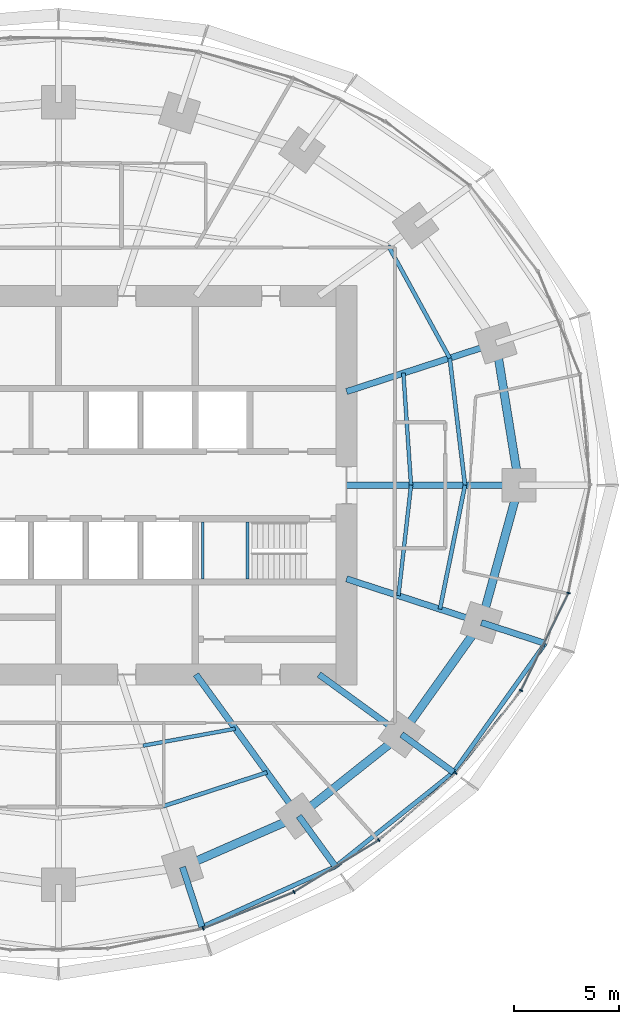
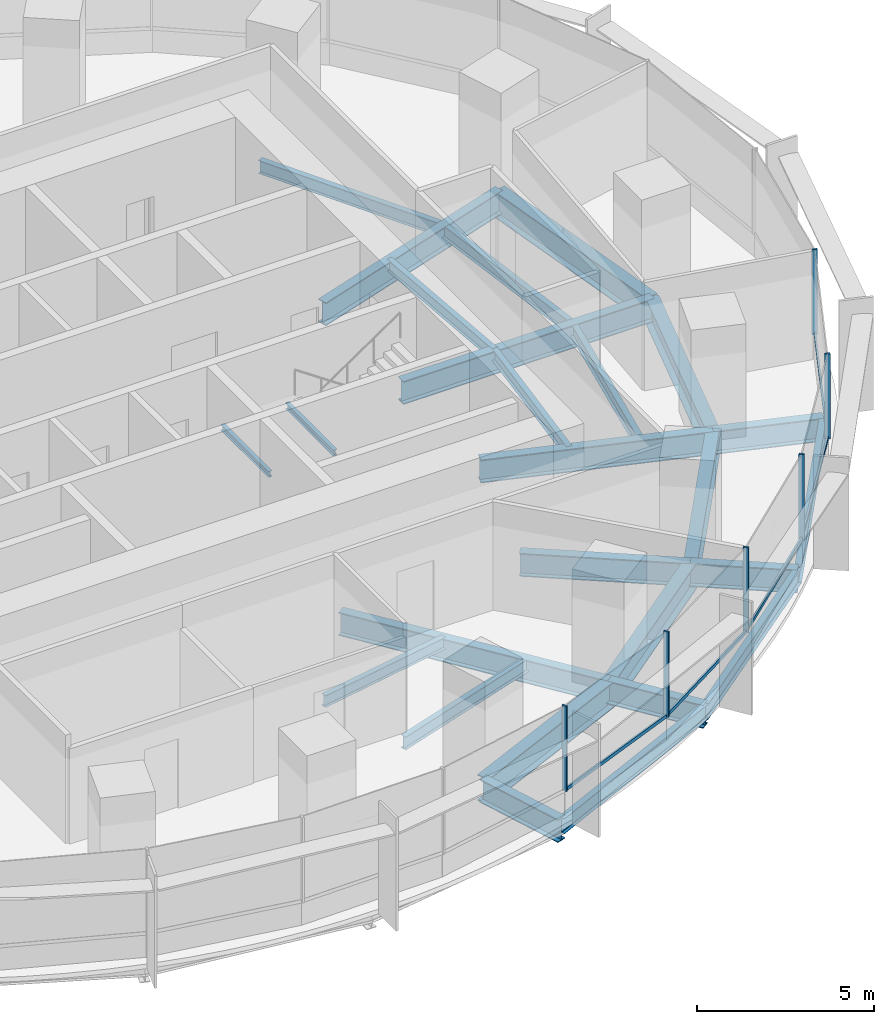
# One storey, part 5 of 14: 26 beams, 11 members, 2 elements without a shape of their own.
"""IFC4 building model written with IfcOpenShell, lengths in metres."""

import ifcopenshell
import ifcopenshell.guid

model = None  # the IFC model being written
_history = None  # IfcOwnerHistory: only IFC2X3 demands one
_inside = {}  # id of a spatial element -> (the spatial element, [elements in it])
_under = {}  # id of a project, library or spatial element -> (it, [spatial elements below it])
_declared = {}  # id of a project -> (the project, [libraries it declares])
_typed = {}  # id of a type object -> (the type object, [elements of that type])
_made_of = {}  # id of a material, layer set ... -> (it, [elements and type objects made of it])


def new_model(schema):
    """Start an empty IFC model of exactly this schema.

    Asked for "IFC4X3", IfcOpenShell would pick the latest addendum, in which some entities
    have other attributes; the version numbers below select the first issue.
    IFC2X3 requires an IfcOwnerHistory on every rooted entity: one is made here for all.
    """
    global model, _history
    if schema == "IFC4X3":
        model = ifcopenshell.file(schema_version=(4, 3, 0, 0))
    else:
        model = ifcopenshell.file(schema=schema)
    _inside.clear()
    _under.clear()
    _declared.clear()
    _typed.clear()
    _made_of.clear()
    _history = None
    if model.schema == "IFC2X3":
        org = make("IfcOrganization", Name="unknown")
        user = make(
            "IfcPersonAndOrganization",
            ThePerson=make("IfcPerson", FamilyName="unknown"),
            TheOrganization=org,
        )
        app = make(
            "IfcApplication",
            ApplicationDeveloper=org,
            Version="unknown",
            ApplicationFullName="unknown",
            ApplicationIdentifier="unknown",
        )
        _history = make(
            "IfcOwnerHistory",
            OwningUser=user,
            OwningApplication=app,
            ChangeAction="ADDED",
            CreationDate=0,
        )
    return model


def make(cls, **values):
    """One entity of the class cls with the attributes given. An attribute that is None is left unset."""
    return model.create_entity(
        cls, **{name: value for name, value in values.items() if value is not None}
    )


def rooted(cls, **values):
    """An entity with a GlobalId (a new one), such as an element, a storey or a relation."""
    return make(cls, GlobalId=ifcopenshell.guid.new(), OwnerHistory=_history, **values)


def si_unit(unit_type, name, prefix=None):
    """IfcSIUnit, for example si_unit("LENGTHUNIT", "METRE", prefix="MILLI")."""
    return make("IfcSIUnit", UnitType=unit_type, Prefix=prefix, Name=name)


def assignment(units):
    """IfcUnitAssignment: the units of a project."""
    return None if units is None else make("IfcUnitAssignment", Units=units)


def point(xyz):
    """IfcCartesianPoint."""
    return None if xyz is None else make("IfcCartesianPoint", Coordinates=xyz)


def direction(xyz):
    """IfcDirection."""
    return None if xyz is None else make("IfcDirection", DirectionRatios=xyz)


def frame(location, z_axis=None, x_axis=None):
    """IfcAxis2Placement3D, a coordinate frame: its origin and axes. An axis left out is left unset."""
    return make(
        "IfcAxis2Placement3D",
        Location=point(location),
        Axis=direction(z_axis),
        RefDirection=direction(x_axis),
    )


def frame_2d(location, x_axis=None):
    """IfcAxis2Placement2D, a coordinate frame in the plane: its origin and x axis."""
    return make(
        "IfcAxis2Placement2D", Location=point(location), RefDirection=direction(x_axis)
    )


def origin():
    """The frame at (0, 0, 0) with its axes left unset."""
    return frame((0.0, 0.0, 0.0))


def origin_2d():
    """The frame at (0, 0) in the plane with its x axis left unset."""
    return frame_2d((0.0, 0.0))


def place(relative_to, where):
    """IfcLocalPlacement: puts the frame where relative to a parent placement (None: the world)."""
    return make(
        "IfcLocalPlacement", PlacementRelTo=relative_to, RelativePlacement=where
    )


def context(
    kind, dimensions, precision=None, world=None, true_north=None, identifier=None
):
    """IfcGeometricRepresentationContext, for example the 3D "Model" context."""
    return make(
        "IfcGeometricRepresentationContext",
        ContextIdentifier=identifier,
        ContextType=kind,
        CoordinateSpaceDimension=dimensions,
        Precision=precision,
        WorldCoordinateSystem=world,
        TrueNorth=true_north,
    )


def subcontext(parent, identifier, kind, view, scale=None):
    """IfcGeometricRepresentationSubContext, for example "Body" below "Model"."""
    return make(
        "IfcGeometricRepresentationSubContext",
        ContextIdentifier=identifier,
        ContextType=kind,
        ParentContext=parent,
        TargetScale=scale,
        TargetView=view,
    )


def project(units=None, contexts=None):
    """IfcProject with its units and contexts."""
    return rooted(
        "IfcProject",
        Name="project",
        RepresentationContexts=contexts,
        UnitsInContext=assignment(units),
    )


def spatial(cls, under=None, at=None, **own):
    """A site, building, storey or space (cls), placed at a placement, below another one or the project."""
    s = rooted(cls, ObjectPlacement=at, **own)
    if under is not None:
        _under.setdefault(under.id(), (under, []))[1].append(s)
    return s


def profile(cls, at=None, kind="AREA", **sizes):
    """A parametric profile (cls). Its sizes go by their IFC names, for example OverallWidth=200.0."""
    return make(cls, ProfileType=kind, Position=at, **sizes)


def rectangle(**sizes):
    """IfcRectangleProfileDef."""
    return profile("IfcRectangleProfileDef", **sizes)


def i_section(**sizes):
    """IfcIShapeProfileDef."""
    return profile("IfcIShapeProfileDef", **sizes)


def extrude(swept, where, along, depth):
    """IfcExtrudedAreaSolid: the profile swept, set in the frame where, extruded along a direction by depth."""
    return make(
        "IfcExtrudedAreaSolid",
        SweptArea=swept,
        Position=where,
        ExtrudedDirection=direction(along),
        Depth=depth,
    )


def shape(context_of_items, identifier, shape_type, items):
    """IfcShapeRepresentation: the items that make up one representation, for example the "Body"."""
    return make(
        "IfcShapeRepresentation",
        ContextOfItems=context_of_items,
        RepresentationIdentifier=identifier,
        RepresentationType=shape_type,
        Items=items,
    )


def material(Name=None, Category=None):
    """IfcMaterial."""
    return make("IfcMaterial", Name=Name, Category=Category)


def material_profile(
    of_material, cross_section, Name=None, Category=None, Priority=None
):
    """IfcMaterialProfile: a cross section and its material."""
    return make(
        "IfcMaterialProfile",
        Name=Name,
        Material=of_material,
        Profile=cross_section,
        Priority=Priority,
        Category=Category,
    )


def profile_set(profiles, Name=None, composite=None):
    """IfcMaterialProfileSet."""
    return make(
        "IfcMaterialProfileSet",
        Name=Name,
        MaterialProfiles=profiles,
        CompositeProfile=composite,
    )


def made_of(thing, what):
    """Note that an element or type object is made of a material, layer set ...; save() writes the relation."""
    if what is not None:
        _made_of.setdefault(what.id(), (what, []))[1].append(thing)
    return thing


def type_object(cls, material=None, **own):
    """A type object (cls), such as IfcWallType, which elements share."""
    return made_of(rooted(cls, **own), material)


def element(
    cls,
    number,
    at=None,
    inside=None,
    cuts=None,
    type_object=None,
    material=None,
    context=None,
    identifier="Body",
    shape_type=None,
    held_by="IfcProductDefinitionShape",
    body=None,
    shapes=None,
    **own,
):
    """One element of the class cls, such as IfcWall. Its Tag is "e" and its number.

    at: its placement. inside: the storey or other place that contains it. cuts: it is an
    opening in that element (IfcRelVoidsElement). A single representation is given by context,
    identifier, shape_type and body (its items); several are given by shapes. held_by: the class
    of the entity that holds the representations. save() writes the other relations.
    """
    e = rooted(cls, Tag="e%d" % number, ObjectPlacement=at, **own)
    if body is not None:
        shapes = [shape(context, identifier, shape_type, body)]
    if shapes is not None:
        e.Representation = make(held_by, Representations=shapes)
    if inside is not None:
        _inside.setdefault(inside.id(), (inside, []))[1].append(e)
    if cuts is not None:
        rooted(
            "IfcRelVoidsElement", RelatingBuildingElement=cuts, RelatedOpeningElement=e
        )
    if type_object is not None:
        _typed.setdefault(type_object.id(), (type_object, []))[1].append(e)
    return made_of(e, material)


def aggregate(whole, parts):
    """IfcRelAggregates: a whole, such as a stair, and the parts it consists of."""
    return rooted("IfcRelAggregates", RelatingObject=whole, RelatedObjects=parts)


def save(model, path):
    """Write the relations noted so far, then the file.

    IfcRelAggregates (storeys below a building ...), IfcRelContainedInSpatialStructure (elements
    in a storey), IfcRelDefinesByType, IfcRelAssociatesMaterial and IfcRelDeclares: one each for
    every whole, place, type object, material and project.
    """
    for whole, parts in _under.values():
        aggregate(whole, parts)
    for where, things in _inside.values():
        rooted(
            "IfcRelContainedInSpatialStructure",
            RelatedElements=things,
            RelatingStructure=where,
        )
    for kind, things in _typed.values():
        rooted("IfcRelDefinesByType", RelatedObjects=things, RelatingType=kind)
    for what, things in _made_of.values():
        rooted("IfcRelAssociatesMaterial", RelatedObjects=things, RelatingMaterial=what)
    for by, libraries in _declared.values():
        rooted("IfcRelDeclares", RelatingContext=by, RelatedDefinitions=libraries)
    model.write(path)


model = new_model("IFC4")

# Units and contexts
model_context = context("Model", 3, precision=1e-05, world=origin(), true_north=direction((0.0, 1.0)))
body_context = subcontext(model_context, "Body", "Model", "MODEL_VIEW")
ifc_project = project(units=[si_unit("LENGTHUNIT", "METRE"), si_unit("AREAUNIT", "SQUARE_METRE"), si_unit("VOLUMEUNIT", "CUBIC_METRE"), si_unit("PLANEANGLEUNIT", "RADIAN"), si_unit("MASSUNIT", "GRAM", prefix="KILO")], contexts=[model_context])

# Site, building, storey
site_placement = place(None, origin())
site = spatial("IfcSite", under=ifc_project, at=site_placement, CompositionType="ELEMENT")
building_placement = place(site_placement, origin())
building = spatial("IfcBuilding", under=site, at=building_placement, Name="Marramba Exchange Tower", CompositionType="ELEMENT")
storey_placement = place(building_placement, frame((0.0, 0.0, 123.60009765625)))
storey = spatial("IfcBuildingStorey", under=building, at=storey_placement, Name="L29", CompositionType="ELEMENT", Elevation=123.60009765625)

# Beams
ifc_material_1 = material(Name="Steel AS/NZS 3679.2 grade 300", Category="steel")
ifc_material_profile_1 = material_profile(ifc_material_1, i_section(OverallWidth=0.300048828125, OverallDepth=0.800048828125, WebThickness=0.013916015625, FlangeThickness=0.031982421875, at=origin_2d()), Name="800WB192")
ifc_profile_set_1 = profile_set([ifc_material_profile_1], Name="Steel AS/NZS 3679.2 grade 300")
beam_type_1 = type_object("IfcBeamType", Name="Cantilever girder 800WB192", PredefinedType="BEAM", material=ifc_profile_set_1)
beam_1_placement = place(storey_placement, frame((5.899658203125, -18.156982421875, -0.56005859375), z_axis=(0.30903246226, -0.951051490336, 0.0), x_axis=(0.951051490336, 0.30903246226, 0.0)))
element("IfcBeam", 1, at=beam_1_placement, inside=storey, type_object=beam_type_1, Name="Cantilever girder L29 TC17", PredefinedType="BEAM", context=body_context, shape_type="SweptSolid", body=[
    extrude(i_section(OverallWidth=0.300048828125, OverallDepth=0.800048828125, WebThickness=0.013916015625, FlangeThickness=0.031982421875, at=origin_2d()), origin(), (0.0, 0.0, 1.0), 2.986328125),
])
beam_2_placement = place(storey_placement, frame((11.430419921875, -15.732666015625, -0.56005859375), z_axis=(0.587794986183, -0.8090099222, 0.0), x_axis=(0.8090099222, 0.587794986183, 0.0)))
element("IfcBeam", 2, at=beam_2_placement, inside=storey, type_object=beam_type_1, Name="Cantilever girder L29 TC18", PredefinedType="BEAM", context=body_context, shape_type="SweptSolid", body=[
    extrude(i_section(OverallWidth=0.300048828125, OverallDepth=0.800048828125, WebThickness=0.013916015625, FlangeThickness=0.031982421875, at=origin_2d()), origin(), (0.0, 0.0, 1.0), 2.9677734375),
])
beam_3_placement = place(storey_placement, frame((16.3154296875, -11.853759765625, -0.56005859375), z_axis=(0.809026231081, -0.587772538847, 0.0), x_axis=(0.587772538847, 0.809026231081, 0.0)))
element("IfcBeam", 3, at=beam_3_placement, inside=storey, type_object=beam_type_1, Name="Cantilever girder L29 TC19", PredefinedType="BEAM", context=body_context, shape_type="SweptSolid", body=[
    extrude(i_section(OverallWidth=0.300048828125, OverallDepth=0.800048828125, WebThickness=0.013916015625, FlangeThickness=0.031982421875, at=origin_2d()), origin(), (0.0, 0.0, 1.0), 3.055419921875),
])
beam_4_placement = place(storey_placement, frame((20.109375, -6.533935546875, -0.56005859375), z_axis=(0.951054839063, -0.309022156318, 0.0), x_axis=(0.309022156318, 0.951054839063, 0.0)))
element("IfcBeam", 4, at=beam_4_placement, inside=storey, type_object=beam_type_1, Name="Cantilever girder L29 TC20", PredefinedType="BEAM", context=body_context, shape_type="SweptSolid", body=[
    extrude(i_section(OverallWidth=0.300048828125, OverallDepth=0.800048828125, WebThickness=0.013916015625, FlangeThickness=0.031982421875, at=origin_2d()), origin(), (0.0, 0.0, 1.0), 3.19580078125),
])
ifc_material_2 = material(Name="Steel AS/NZS 3679.1 grade 300", Category="steel")
ifc_material_profile_2 = material_profile(ifc_material_2, i_section(OverallWidth=0.177978515625, OverallDepth=0.406005859375, WebThickness=0.0078125, FlangeThickness=0.0126953125, FilletRadius=0.011474609375, at=origin_2d()), Name="410UB59.7")
ifc_profile_set_2 = profile_set([ifc_material_profile_2], Name="Steel AS/NZS 3679.1 grade 300")
beam_type_2 = type_object("IfcBeamType", Name="Floor joist 410UB59.7", PredefinedType="JOIST", material=ifc_profile_set_2)
beam_5_placement = place(storey_placement, frame((16.7666015625, 0.0, -0.363037109375), z_axis=(-0.068096259546, 0.99767875563, 0.0), x_axis=(-0.99767875563, -0.068096259546, 0.0)))
element("IfcBeam", 5, at=beam_5_placement, inside=storey, type_object=beam_type_2, Name="Joist L29 bay 01 row 1", PredefinedType="JOIST", context=body_context, shape_type="SweptSolid", body=[
    extrude(i_section(OverallWidth=0.177978515625, OverallDepth=0.406005859375, WebThickness=0.0078125, FlangeThickness=0.0126953125, FilletRadius=0.011474609375, at=origin_2d()), origin(), (0.0, 0.0, 1.0), 5.342041015625),
])
beam_6_placement = place(storey_placement, frame((4.0244140625, -12.3857421875, -0.363037109375), z_axis=(0.983455754421, 0.181148500119, 0.0), x_axis=(-0.181148500119, 0.983455754421, 0.0)))
element("IfcBeam", 6, at=beam_6_placement, inside=storey, type_object=beam_type_2, Name="Joist L29 bay 17 row 1", PredefinedType="JOIST", context=body_context, shape_type="SweptSolid", body=[
    extrude(i_section(OverallWidth=0.177978515625, OverallDepth=0.406005859375, WebThickness=0.0078125, FlangeThickness=0.0126953125, FilletRadius=0.011474609375, at=origin_2d()), origin(), (0.0, 0.0, 1.0), 4.4609375),
])
beam_7_placement = place(storey_placement, frame((16.169677734375, -5.25390625, -0.363037109375), z_axis=(0.112888968594, 0.993607609054, 0.0), x_axis=(-0.993607609054, 0.112888968594, 0.0)))
element("IfcBeam", 7, at=beam_7_placement, inside=storey, type_object=beam_type_2, Name="Joist L29 bay 20 row 1", PredefinedType="JOIST", context=body_context, shape_type="SweptSolid", body=[
    extrude(i_section(OverallWidth=0.177978515625, OverallDepth=0.406005859375, WebThickness=0.0078125, FlangeThickness=0.0126953125, FilletRadius=0.011474609375, at=origin_2d()), origin(), (0.0, 0.0, 1.0), 5.28759765625),
])
ifc_material_profile_3 = material_profile(ifc_material_2, i_section(OverallWidth=0.18994140625, OverallDepth=0.4541015625, WebThickness=0.008544921875, FlangeThickness=0.0126953125, FilletRadius=0.011474609375, at=origin_2d()), Name="460UB67.1")
ifc_profile_set_3 = profile_set([ifc_material_profile_3], Name="Steel AS/NZS 3679.1 grade 300")
beam_type_3 = type_object("IfcBeamType", Name="Floor joist 460UB67.1", PredefinedType="JOIST", material=ifc_profile_set_3)
beam_8_placement = place(storey_placement, frame((19.333251953125, 0.0, -0.38720703125), z_axis=(-0.119523078538, 0.992831422597, 0.0), x_axis=(-0.992831422597, -0.119523078538, 0.0)))
element("IfcBeam", 8, at=beam_8_placement, inside=storey, type_object=beam_type_3, Name="Joist L29 bay 01 row 2", PredefinedType="JOIST", context=body_context, shape_type="SweptSolid", body=[
    extrude(i_section(OverallWidth=0.18994140625, OverallDepth=0.4541015625, WebThickness=0.008544921875, FlangeThickness=0.0126953125, FilletRadius=0.011474609375, at=origin_2d()), origin(), (0.0, 0.0, 1.0), 6.089111328125),
])
beam_9_placement = place(storey_placement, frame((18.60546875, 6.04541015625, -0.38720703125), z_axis=(-0.479584443791, 0.877495732909, 0.0), x_axis=(-0.877495732909, -0.479584443791, 0.0)))
element("IfcBeam", 9, at=beam_9_placement, inside=storey, type_object=beam_type_3, Name="Joist L29 bay 02 row 2", PredefinedType="JOIST", context=body_context, shape_type="SweptSolid", body=[
    extrude(i_section(OverallWidth=0.18994140625, OverallDepth=0.4541015625, WebThickness=0.008544921875, FlangeThickness=0.0126953125, FilletRadius=0.011474609375, at=origin_2d()), origin(), (0.0, 0.0, 1.0), 6.094970703125),
])
beam_10_placement = place(storey_placement, frame((4.9619140625, -15.271484375, -0.38720703125), z_axis=(0.950764024931, 0.309915744834, 0.0), x_axis=(-0.309915744834, 0.950764024931, 0.0)))
element("IfcBeam", 10, at=beam_10_placement, inside=storey, type_object=beam_type_3, Name="Joist L29 bay 17 row 2", PredefinedType="JOIST", context=body_context, shape_type="SweptSolid", body=[
    extrude(i_section(OverallWidth=0.18994140625, OverallDepth=0.4541015625, WebThickness=0.008544921875, FlangeThickness=0.0126953125, FilletRadius=0.011474609375, at=origin_2d()), origin(), (0.0, 0.0, 1.0), 5.2158203125),
])
beam_11_placement = place(storey_placement, frame((18.1396484375, -5.893798828125, -0.38720703125), z_axis=(0.198489047047, 0.980103105904, 0.0), x_axis=(-0.980103105904, 0.198489047047, 0.0)))
element("IfcBeam", 11, at=beam_11_placement, inside=storey, type_object=beam_type_3, Name="Joist L29 bay 20 row 2", PredefinedType="JOIST", context=body_context, shape_type="SweptSolid", body=[
    extrude(i_section(OverallWidth=0.18994140625, OverallDepth=0.4541015625, WebThickness=0.008544921875, FlangeThickness=0.0126953125, FilletRadius=0.011474609375, at=origin_2d()), origin(), (0.0, 0.0, 1.0), 6.013427734375),
])

# Curtain wall, member
ifc_material_3 = material(Name="Aluminium framing, bronze anodised", Category="aluminium")
curtain_wall_type = type_object("IfcCurtainWallType", Name="Office ribbon curtain wall", PredefinedType="USERDEFINED", material=ifc_material_3)
curtain_wall_1_placement = place(storey_placement, origin())
curtain_wall_1 = element("IfcCurtainWall", 12, at=curtain_wall_1_placement, inside=storey, type_object=curtain_wall_type, Name="Curtain wall CW4 L29 F21-F25", ObjectType="RIBBON CURTAIN WALL", PredefinedType="USERDEFINED")
ifc_material_4 = material(Name="Aluminium mullion, bronze anodised", Category="aluminium")
ifc_material_profile_4 = material_profile(ifc_material_4, rectangle(XDim=0.159912109375, YDim=0.06005859375, at=origin_2d()), Name="CW4 mullion 60x160")
ifc_profile_set_4 = profile_set([ifc_material_profile_4], Name="Aluminium mullion, bronze anodised")
member_type_1 = type_object("IfcMemberType", Name="Office ribbon curtain wall mullion", PredefinedType="MULLION", material=ifc_profile_set_4)
member_1_placement = place(storey_placement, frame((6.881103515625, -21.0810546875, 0.7998046875), z_axis=(0.0, 0.0, 1.0), x_axis=(-0.372209067082, 0.928148916059, 0.0)))
member_1 = element("IfcMember", 13, at=member_1_placement, type_object=member_type_1, Name="CW4 mullion 1", PredefinedType="MULLION", context=body_context, shape_type="SweptSolid", body=[
    extrude(rectangle(XDim=0.159912109375, YDim=0.06005859375, at=origin_2d()), origin(), (0.0, 0.0, 1.0), 2.940185546875),
])

# Curtain wall, members
curtain_wall_2_placement = place(storey_placement, origin())
curtain_wall_2 = element("IfcCurtainWall", 14, at=curtain_wall_2_placement, inside=storey, type_object=curtain_wall_type, Name="Curtain wall CW4 L29 F26-F30", ObjectType="RIBBON CURTAIN WALL", PredefinedType="USERDEFINED")
member_2_placement = place(storey_placement, frame((11.2021484375, -19.3427734375, 0.7998046875), z_axis=(0.0, 0.0, 1.0), x_axis=(-0.521732535664, 0.853109114492, 0.0)))
member_2 = element("IfcMember", 15, at=member_2_placement, type_object=member_type_1, Name="CW4 mullion 1", PredefinedType="MULLION", context=body_context, shape_type="SweptSolid", body=[
    extrude(rectangle(XDim=0.159912109375, YDim=0.06005859375, at=origin_2d()), origin(), (0.0, 0.0, 1.0), 2.940185546875),
])
member_3_placement = place(storey_placement, frame((15.232177734375, -16.872314453125, 0.7998046875), z_axis=(0.0, 0.0, 1.0), x_axis=(-0.656431647438, 0.754385506384, 0.0)))
member_3 = element("IfcMember", 16, at=member_3_placement, type_object=member_type_1, Name="CW4 mullion 1", PredefinedType="MULLION", context=body_context, shape_type="SweptSolid", body=[
    extrude(rectangle(XDim=0.159912109375, YDim=0.06005859375, at=origin_2d()), origin(), (0.0, 0.0, 1.0), 2.940185546875),
])
member_4_placement = place(storey_placement, frame((18.886962890625, -13.68505859375, 0.7998046875), z_axis=(0.0, 0.0, 1.0), x_axis=(-0.783170139469, 0.621807472329, 0.0)))
member_4 = element("IfcMember", 17, at=member_4_placement, type_object=member_type_1, Name="CW4 mullion 1", PredefinedType="MULLION", context=body_context, shape_type="SweptSolid", body=[
    extrude(rectangle(XDim=0.159912109375, YDim=0.06005859375, at=origin_2d()), origin(), (0.0, 0.0, 1.0), 2.940185546875),
])
member_5_placement = place(storey_placement, frame((21.994873046875, -9.760009765625, 0.7998046875), z_axis=(0.0, 0.0, 1.0), x_axis=(-0.89844486976, 0.439086342308, 0.0)))
member_5 = element("IfcMember", 18, at=member_5_placement, type_object=member_type_1, Name="CW4 mullion 1", PredefinedType="MULLION", context=body_context, shape_type="SweptSolid", body=[
    extrude(rectangle(XDim=0.159912109375, YDim=0.06005859375, at=origin_2d()), origin(), (0.0, 0.0, 1.0), 2.940185546875),
])
member_6_placement = place(storey_placement, frame((24.252197265625, -5.124267578125, 0.7998046875), z_axis=(0.0, 0.0, 1.0), x_axis=(-0.980393739376, 0.197048511267, 0.0)))
member_6 = element("IfcMember", 19, at=member_6_placement, type_object=member_type_1, Name="CW4 mullion 1", PredefinedType="MULLION", context=body_context, shape_type="SweptSolid", body=[
    extrude(rectangle(XDim=0.159912109375, YDim=0.06005859375, at=origin_2d()), origin(), (0.0, 0.0, 1.0), 2.940185546875),
])

# Member
ifc_material_5 = material(Name="Aluminium transom, bronze anodised", Category="aluminium")
ifc_material_profile_5 = material_profile(ifc_material_5, rectangle(XDim=0.06005859375, YDim=0.1201171875, at=origin_2d()), Name="CW4 transom 60x120")
ifc_profile_set_5 = profile_set([ifc_material_profile_5], Name="Aluminium transom, bronze anodised")
member_type_2 = type_object("IfcMemberType", Name="Office ribbon curtain wall transom", PredefinedType="USERDEFINED", material=ifc_profile_set_5)
member_7_placement = place(storey_placement, frame((6.908935546875, -21.06982421875, 0.829833984375), z_axis=(0.928146753748, 0.372214459026, 0.0), x_axis=(-0.372214459026, 0.928146753748, 0.0)))
member_7 = element("IfcMember", 20, at=member_7_placement, type_object=member_type_2, Name="CW4 sill transom", ObjectType="TRANSOM", PredefinedType="USERDEFINED", context=body_context, shape_type="SweptSolid", body=[
    extrude(rectangle(XDim=0.06005859375, YDim=0.1201171875, at=origin_2d()), origin(), (0.0, 0.0, 1.0), 4.597900390625),
])

aggregate(curtain_wall_1, [member_1, member_7])

member_8_placement = place(storey_placement, frame((11.227783203125, -19.3271484375, 0.829833984375), z_axis=(0.853124051379, 0.52170811088, 0.0), x_axis=(-0.52170811088, 0.853124051379, 0.0)))
member_8 = element("IfcMember", 21, at=member_8_placement, type_object=member_type_2, Name="CW4 sill transom", ObjectType="TRANSOM", PredefinedType="USERDEFINED", context=body_context, shape_type="SweptSolid", body=[
    extrude(rectangle(XDim=0.06005859375, YDim=0.1201171875, at=origin_2d()), origin(), (0.0, 0.0, 1.0), 4.66748046875),
])

member_9_placement = place(storey_placement, frame((15.2548828125, -16.8525390625, 0.829833984375), z_axis=(0.754392594189, 0.65642350189, 0.0), x_axis=(-0.65642350189, 0.754392594189, 0.0)))
member_9 = element("IfcMember", 22, at=member_9_placement, type_object=member_type_2, Name="CW4 sill transom", ObjectType="TRANSOM", PredefinedType="USERDEFINED", context=body_context, shape_type="SweptSolid", body=[
    extrude(rectangle(XDim=0.06005859375, YDim=0.1201171875, at=origin_2d()), origin(), (0.0, 0.0, 1.0), 4.78955078125),
])

member_10_placement = place(storey_placement, frame((18.905517578125, -13.66162109375, 0.829833984375), z_axis=(0.621777997945, 0.783193540111, 0.0), x_axis=(-0.783193540111, 0.621777997945, 0.0)))
member_10 = element("IfcMember", 23, at=member_10_placement, type_object=member_type_2, Name="CW4 sill transom", ObjectType="TRANSOM", PredefinedType="USERDEFINED", context=body_context, shape_type="SweptSolid", body=[
    extrude(rectangle(XDim=0.06005859375, YDim=0.1201171875, at=origin_2d()), origin(), (0.0, 0.0, 1.0), 4.947265625),
])

member_11_placement = place(storey_placement, frame((22.008056640625, -9.73291015625, 0.829833984375), z_axis=(0.439090714557, 0.898442732949, 0.0), x_axis=(-0.898442732949, 0.439090714557, 0.0)))
member_11 = element("IfcMember", 24, at=member_11_placement, type_object=member_type_2, Name="CW4 sill transom", ObjectType="TRANSOM", PredefinedType="USERDEFINED", context=body_context, shape_type="SweptSolid", body=[
    extrude(rectangle(XDim=0.06005859375, YDim=0.1201171875, at=origin_2d()), origin(), (0.0, 0.0, 1.0), 5.096923828125),
])

aggregate(curtain_wall_2, [member_2, member_8, member_3, member_9, member_4, member_10, member_5, member_11, member_6])

# Beams
ifc_material_profile_6 = material_profile(ifc_material_1, i_section(OverallWidth=0.300048828125, OverallDepth=0.800048828125, WebThickness=0.013916015625, FlangeThickness=0.031982421875, at=origin_2d()), Name="800WB192")
ifc_profile_set_6 = profile_set([ifc_material_profile_6], Name="Steel AS/NZS 3679.2 grade 300")
beam_type_4 = type_object("IfcBeamType", Name="Radial girder 800WB192", PredefinedType="BEAM", material=ifc_profile_set_6)
beam_12_placement = place(storey_placement, frame((13.699951171875, 0.0, -0.56005859375), z_axis=(1.0, 0.0, 0.0), x_axis=(0.0, 1.0, 0.0)))
element("IfcBeam", 25, at=beam_12_placement, inside=storey, type_object=beam_type_4, Name="Radial girder L29 TC01", PredefinedType="BEAM", context=body_context, shape_type="SweptSolid", body=[
    extrude(i_section(OverallWidth=0.300048828125, OverallDepth=0.800048828125, WebThickness=0.013916015625, FlangeThickness=0.031982421875, at=origin_2d()), origin(), (0.0, 0.0, 1.0), 8.199951171875),
])
beam_13_placement = place(storey_placement, frame((13.699951171875, 4.451416015625, -0.56005859375), z_axis=(0.951059990189, 0.309006302624, 0.0), x_axis=(-0.309006302624, 0.951059990189, 0.0)))
element("IfcBeam", 26, at=beam_13_placement, inside=storey, type_object=beam_type_4, Name="Radial girder L29 TC02", PredefinedType="BEAM", context=body_context, shape_type="SweptSolid", body=[
    extrude(i_section(OverallWidth=0.300048828125, OverallDepth=0.800048828125, WebThickness=0.013916015625, FlangeThickness=0.031982421875, at=origin_2d()), origin(), (0.0, 0.0, 1.0), 7.47412109375),
])
beam_14_placement = place(storey_placement, frame((6.538818359375, -9.0, -0.56005859375), z_axis=(0.587787877172, -0.809015087282, 0.0), x_axis=(0.809015087282, 0.587787877172, 0.0)))
element("IfcBeam", 27, at=beam_14_placement, inside=storey, type_object=beam_type_4, Name="Radial girder L29 TC18", PredefinedType="BEAM", context=body_context, shape_type="SweptSolid", body=[
    extrude(i_section(OverallWidth=0.300048828125, OverallDepth=0.800048828125, WebThickness=0.013916015625, FlangeThickness=0.031982421875, at=origin_2d()), origin(), (0.0, 0.0, 1.0), 8.322021484375),
])
beam_15_placement = place(storey_placement, frame((12.387451171875, -9.0, -0.56005859375), z_axis=(0.809025189606, -0.58777397236, 0.0), x_axis=(0.58777397236, 0.809025189606, 0.0)))
element("IfcBeam", 28, at=beam_15_placement, inside=storey, type_object=beam_type_4, Name="Radial girder L29 TC19", PredefinedType="BEAM", context=body_context, shape_type="SweptSolid", body=[
    extrude(i_section(OverallWidth=0.300048828125, OverallDepth=0.800048828125, WebThickness=0.013916015625, FlangeThickness=0.031982421875, at=origin_2d()), origin(), (0.0, 0.0, 1.0), 4.855224609375),
])
beam_16_placement = place(storey_placement, frame((13.699951171875, -4.451416015625, -0.56005859375), z_axis=(0.951057759669, -0.309013167637, 0.0), x_axis=(0.309013167637, 0.951057759669, 0.0)))
element("IfcBeam", 29, at=beam_16_placement, inside=storey, type_object=beam_type_4, Name="Radial girder L29 TC20", PredefinedType="BEAM", context=body_context, shape_type="SweptSolid", body=[
    extrude(i_section(OverallWidth=0.300048828125, OverallDepth=0.800048828125, WebThickness=0.013916015625, FlangeThickness=0.031982421875, at=origin_2d()), origin(), (0.0, 0.0, 1.0), 6.7392578125),
])
ifc_material_profile_7 = material_profile(ifc_material_1, i_section(OverallWidth=0.39990234375, OverallDepth=0.89990234375, WebThickness=0.01611328125, FlangeThickness=0.031982421875, at=origin_2d()), Name="900WB282")
ifc_profile_set_7 = profile_set([ifc_material_profile_7], Name="Steel AS/NZS 3679.2 grade 300")
beam_type_5 = type_object("IfcBeamType", Name="Ring beam 900WB282", PredefinedType="SPANDREL", material=ifc_profile_set_7)
beam_17_placement = place(storey_placement, frame((21.89990234375, 0.0, -0.610107421875), z_axis=(-0.159384865399, 0.987216523708, 0.0), x_axis=(-0.987216523708, -0.159384865399, 0.0)))
element("IfcBeam", 30, at=beam_17_placement, inside=storey, type_object=beam_type_5, Name="Ring beam L29 TC01-TC02", PredefinedType="SPANDREL", context=body_context, shape_type="SweptSolid", body=[
    extrude(i_section(OverallWidth=0.39990234375, OverallDepth=0.89990234375, WebThickness=0.01611328125, FlangeThickness=0.031982421875, at=origin_2d()), origin(), (0.0, 0.0, 1.0), 6.8486328125),
])
beam_18_placement = place(storey_placement, frame((5.899658203125, -18.156982421875, -0.610107421875), z_axis=(0.915876892158, 0.4014592363, 0.0), x_axis=(-0.4014592363, 0.915876892158, 0.0)))
element("IfcBeam", 31, at=beam_18_placement, inside=storey, type_object=beam_type_5, Name="Ring beam L29 TC17-TC18", PredefinedType="SPANDREL", context=body_context, shape_type="SweptSolid", body=[
    extrude(i_section(OverallWidth=0.39990234375, OverallDepth=0.89990234375, WebThickness=0.01611328125, FlangeThickness=0.031982421875, at=origin_2d()), origin(), (0.0, 0.0, 1.0), 6.038818359375),
])
beam_19_placement = place(storey_placement, frame((11.430419921875, -15.732666015625, -0.610107421875), z_axis=(0.783139438128, 0.621846138887, 0.0), x_axis=(-0.621846138887, 0.783139438128, 0.0)))
element("IfcBeam", 32, at=beam_19_placement, inside=storey, type_object=beam_type_5, Name="Ring beam L29 TC18-TC19", PredefinedType="SPANDREL", context=body_context, shape_type="SweptSolid", body=[
    extrude(i_section(OverallWidth=0.39990234375, OverallDepth=0.89990234375, WebThickness=0.01611328125, FlangeThickness=0.031982421875, at=origin_2d()), origin(), (0.0, 0.0, 1.0), 6.23779296875),
])
beam_20_placement = place(storey_placement, frame((16.3154296875, -11.853759765625, -0.610107421875), z_axis=(0.580637181111, 0.814162430914, 0.0), x_axis=(-0.814162430914, 0.580637181111, 0.0)))
element("IfcBeam", 33, at=beam_20_placement, inside=storey, type_object=beam_type_5, Name="Ring beam L29 TC19-TC20", PredefinedType="SPANDREL", context=body_context, shape_type="SweptSolid", body=[
    extrude(i_section(OverallWidth=0.39990234375, OverallDepth=0.89990234375, WebThickness=0.01611328125, FlangeThickness=0.031982421875, at=origin_2d()), origin(), (0.0, 0.0, 1.0), 6.5341796875),
])
beam_21_placement = place(storey_placement, frame((20.109375, -6.533935546875, -0.610107421875), z_axis=(0.264291166956, 0.964442937176, 0.0), x_axis=(-0.964442937176, 0.264291166956, 0.0)))
element("IfcBeam", 34, at=beam_21_placement, inside=storey, type_object=beam_type_5, Name="Ring beam L29 TC20-TC01", PredefinedType="SPANDREL", context=body_context, shape_type="SweptSolid", body=[
    extrude(i_section(OverallWidth=0.39990234375, OverallDepth=0.89990234375, WebThickness=0.01611328125, FlangeThickness=0.031982421875, at=origin_2d()), origin(), (0.0, 0.0, 1.0), 6.77490234375),
])
ifc_material_profile_8 = material_profile(ifc_material_2, i_section(OverallWidth=0.208984375, OverallDepth=0.528076171875, WebThickness=0.009521484375, FlangeThickness=0.01318359375, FilletRadius=0.013916015625, at=origin_2d()), Name="530UB82.0")
ifc_profile_set_8 = profile_set([ifc_material_profile_8], Name="Steel AS/NZS 3679.1 grade 300")
beam_type_6 = type_object("IfcBeamType", Name="Slab edge beam 530UB82.0", PredefinedType="SPANDREL", material=ifc_profile_set_8)
beam_22_placement = place(storey_placement, frame((6.822509765625, -20.9970703125, -0.424072265625), z_axis=(0.911653171624, 0.410960453898, 0.0), x_axis=(-0.410960453898, 0.911653171624, 0.0)))
element("IfcBeam", 35, at=beam_22_placement, inside=storey, type_object=beam_type_6, Name="Slab edge beam L29 TC17-TC18", PredefinedType="SPANDREL", context=body_context, shape_type="SweptSolid", body=[
    extrude(i_section(OverallWidth=0.208984375, OverallDepth=0.528076171875, WebThickness=0.009521484375, FlangeThickness=0.01318359375, FilletRadius=0.013916015625, at=origin_2d()), origin(), (0.0, 0.0, 1.0), 6.9677734375),
])
beam_23_placement = place(storey_placement, frame((13.1748046875, -18.133544921875, -0.424072265625), z_axis=(0.781286404457, 0.624172695822, 0.0), x_axis=(-0.624172695822, 0.781286404457, 0.0)))
element("IfcBeam", 36, at=beam_23_placement, inside=storey, type_object=beam_type_6, Name="Slab edge beam L29 TC18-TC19", PredefinedType="SPANDREL", context=body_context, shape_type="SweptSolid", body=[
    extrude(i_section(OverallWidth=0.208984375, OverallDepth=0.528076171875, WebThickness=0.009521484375, FlangeThickness=0.01318359375, FilletRadius=0.013916015625, at=origin_2d()), origin(), (0.0, 0.0, 1.0), 7.183837890625),
])
beam_24_placement = place(storey_placement, frame((18.787353515625, -13.649658203125, -0.424072265625), z_axis=(0.579834168245, 0.814734519543, 0.0), x_axis=(-0.814734519543, 0.579834168245, 0.0)))
element("IfcBeam", 37, at=beam_24_placement, inside=storey, type_object=beam_type_6, Name="Slab edge beam L29 TC19-TC20", PredefinedType="SPANDREL", context=body_context, shape_type="SweptSolid", body=[
    extrude(i_section(OverallWidth=0.208984375, OverallDepth=0.528076171875, WebThickness=0.009521484375, FlangeThickness=0.01318359375, FilletRadius=0.013916015625, at=origin_2d()), origin(), (0.0, 0.0, 1.0), 7.521728515625),
])
ifc_material_profile_9 = material_profile(ifc_material_2, i_section(OverallWidth=0.133056640625, OverallDepth=0.202880859375, WebThickness=0.005859375, FlangeThickness=0.0078125, FilletRadius=0.0087890625, at=origin_2d()), Name="200UB25.4")
ifc_profile_set_9 = profile_set([ifc_material_profile_9], Name="Steel AS/NZS 3679.1 grade 300")
beam_type_7 = type_object("IfcBeamType", Name="Stair landing beam 200UB25.4", PredefinedType="BEAM", material=ifc_profile_set_9)
for number, where, z_axis, x_axis, name in (
    (38, (6.866455078125, -4.449951171875, 1.6484375), (0.0, 1.0, 0.0), (-1.0, 0.0, 0.0), "Stair landing beam SLB1 ST2 L29 1"),
    (39, (8.9833984375, -4.449951171875, 1.6484375), (0.0, 1.0, 0.0), (-1.0, 0.0, 0.0), "Stair landing beam SLB1 ST2 L29 2"),
):
    element("IfcBeam", number, at=place(storey_placement, frame(where, z_axis=z_axis, x_axis=x_axis)), inside=storey, type_object=beam_type_7, Name=name, PredefinedType="BEAM", context=body_context, shape_type="SweptSolid", body=[
        extrude(i_section(OverallWidth=0.133056640625, OverallDepth=0.202880859375, WebThickness=0.005859375, FlangeThickness=0.0078125, FilletRadius=0.0087890625, at=origin_2d()), origin(), (0.0, 0.0, 1.0), 2.699951171875),
    ])

save(model, "model.ifc")
